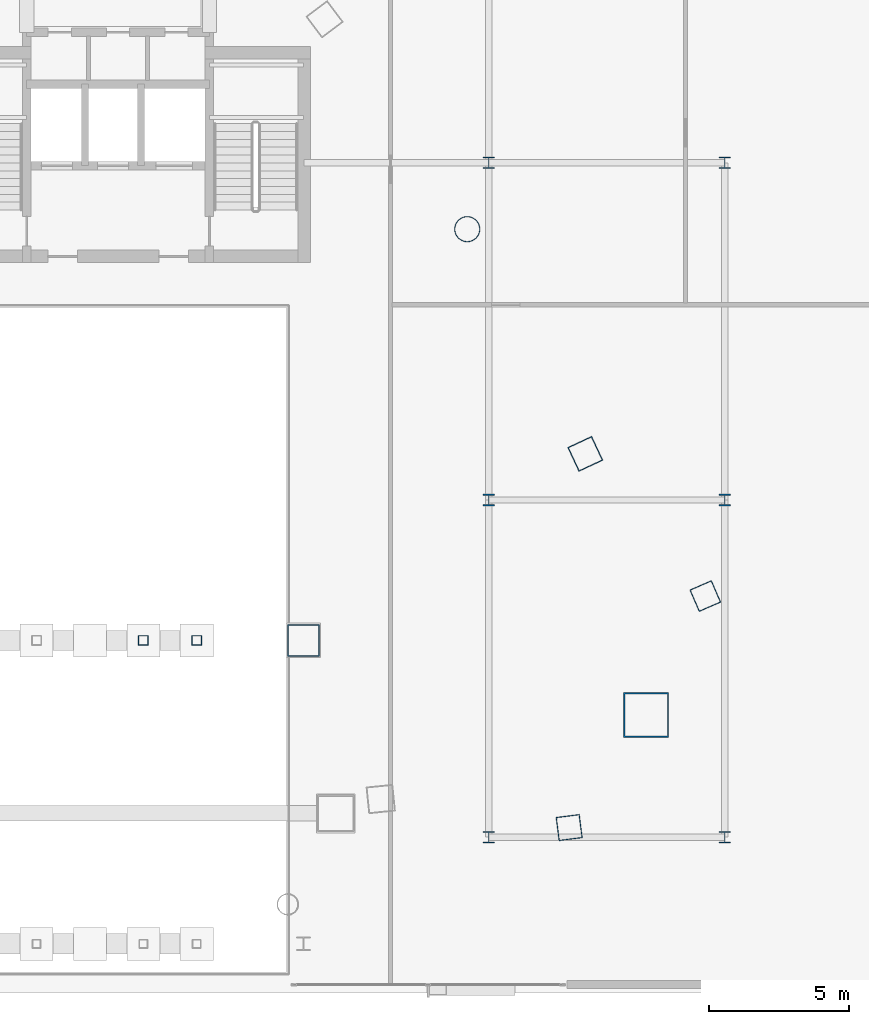
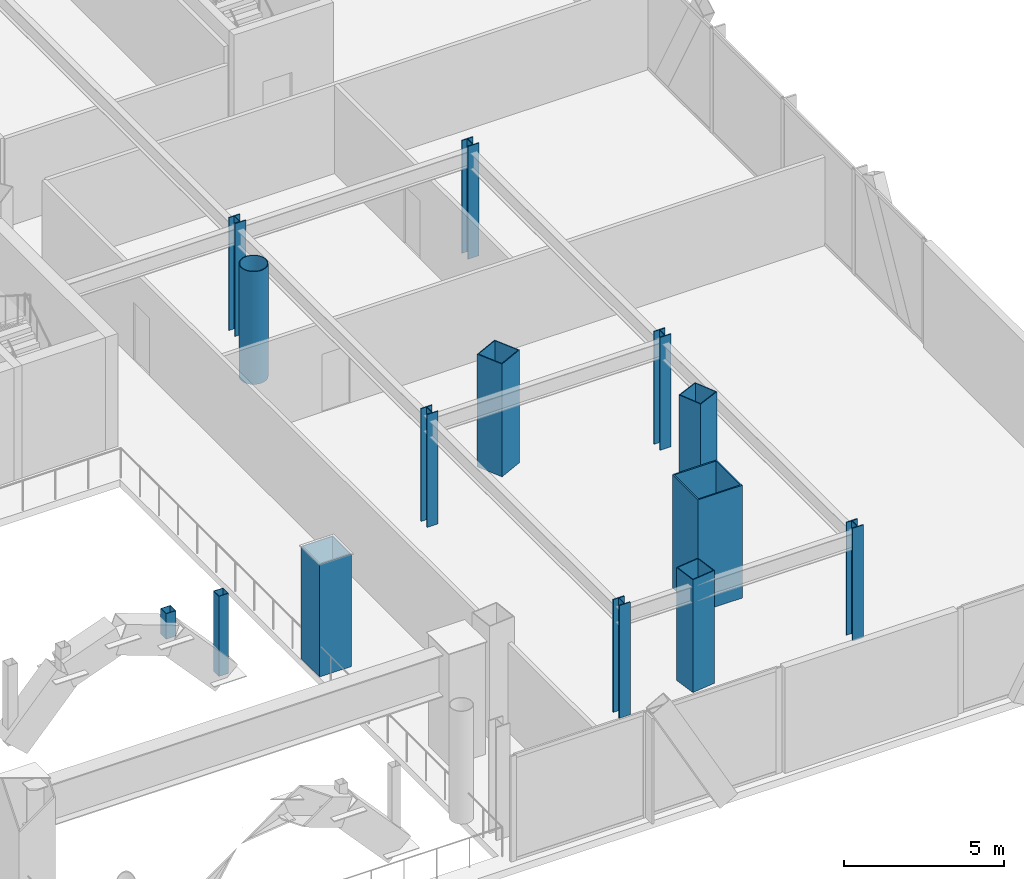
# One storey, part 2 of 42: 14 columns.
"""IFC4 building model written with IfcOpenShell, lengths in metres."""

from ifc_helpers import new_model, si_unit, direction, frame, origin, origin_2d, place, context, subcontext, project, spatial, hollow_rectangle, hollow_circle, i_section, extrude, material, material_profile, profile_set, type_object, element, save


model = new_model("IFC4")

# Units and contexts
model_context = context("Model", 3, precision=1e-05, world=origin(), true_north=direction((0.0, 1.0)))
body_context = subcontext(model_context, "Body", "Model", "MODEL_VIEW")
ifc_project = project(units=[si_unit("LENGTHUNIT", "METRE"), si_unit("AREAUNIT", "SQUARE_METRE"), si_unit("VOLUMEUNIT", "CUBIC_METRE"), si_unit("PLANEANGLEUNIT", "RADIAN"), si_unit("MASSUNIT", "GRAM", prefix="KILO")], contexts=[model_context])

# Site, building, storey
site_placement = place(None, origin())
site = spatial("IfcSite", under=ifc_project, at=site_placement, CompositionType="ELEMENT")
building_placement = place(site_placement, origin())
building = spatial("IfcBuilding", under=site, at=building_placement, Name="Orvanel Arch Residences", CompositionType="ELEMENT")
storey_placement = place(building_placement, frame((0.0, 0.0, 9.800048828125)))
storey = spatial("IfcBuildingStorey", under=building, at=storey_placement, Name="L02", CompositionType="ELEMENT", Elevation=9.800048828125)

# Columns
ifc_material_1 = material(Name="Structural steel AS/NZS 1163 C450L0 (Grade 450)", Category="steel")
ifc_material_profile_1 = material_profile(ifc_material_1, hollow_circle(Radius=0.45703125, WallThickness=0.02490234375, at=origin_2d()), Name="CHS914x25")
ifc_profile_set_1 = profile_set([ifc_material_profile_1], Name="Structural steel AS/NZS 1163 C450L0 (Grade 450)")
column_type_1 = type_object("IfcColumnType", Name="CC-914", PredefinedType="COLUMN", material=ifc_profile_set_1)
column_1_placement = place(storey_placement, frame((45.430908203125, 27.64111328125, 0.0), z_axis=(0.0, 0.0, 1.0), x_axis=(1.0, 0.0, 0.0)))
element("IfcColumn", 1, at=column_1_placement, inside=storey, type_object=column_type_1, Name="L02 High-Rise Tube Column 08", PredefinedType="COLUMN", context=body_context, shape_type="SweptSolid", body=[
    extrude(hollow_circle(Radius=0.45703125, WallThickness=0.02490234375, at=origin_2d()), origin(), (0.0, 0.0, 1.0), 4.300048828125),
])
ifc_material_2 = material(Name="Structural steel AS/NZS 3678 Grade 450", Category="steel")
ifc_material_profile_2 = material_profile(ifc_material_2, hollow_rectangle(XDim=1.14990234375, YDim=1.14990234375, WallThickness=0.035888671875, at=origin_2d()), Name="BOX1150x1150x36")
ifc_profile_set_2 = profile_set([ifc_material_profile_2], Name="Structural steel AS/NZS 3678 Grade 450")
column_type_2 = type_object("IfcColumnType", Name="MC-1150", PredefinedType="COLUMN", material=ifc_profile_set_2)
column_2_placement = place(storey_placement, frame((39.60009765625, 13.0, 0.0), z_axis=(0.0, 0.0, 1.0), x_axis=(1.0, 0.0, 0.0)))
element("IfcColumn", 2, at=column_2_placement, inside=storey, type_object=column_type_2, Name="L02 Arch Portal Pier MID E", PredefinedType="COLUMN", context=body_context, shape_type="SweptSolid", body=[
    extrude(hollow_rectangle(XDim=1.14990234375, YDim=1.14990234375, WallThickness=0.035888671875, at=origin_2d()), origin(), (0.0, 0.0, 1.0), 4.300048828125),
])
ifc_material_profile_3 = material_profile(ifc_material_2, hollow_rectangle(XDim=1.60009765625, YDim=1.60009765625, WallThickness=0.050048828125, at=origin_2d()), Name="BOX1600x1600x50")
ifc_profile_set_3 = profile_set([ifc_material_profile_3], Name="Structural steel AS/NZS 3678 Grade 450")
column_type_3 = type_object("IfcColumnType", Name="MC-1600", PredefinedType="COLUMN", material=ifc_profile_set_3)
column_3_placement = place(storey_placement, frame((51.801025390625, 10.35107421875, 0.0), z_axis=(0.0, 0.0, 1.0), x_axis=(1.0, 0.0, 0.0)))
element("IfcColumn", 3, at=column_3_placement, inside=storey, type_object=column_type_3, Name="L02 Corner Composite Mega-Column 3", PredefinedType="COLUMN", context=body_context, shape_type="SweptSolid", body=[
    extrude(hollow_rectangle(XDim=1.60009765625, YDim=1.60009765625, WallThickness=0.050048828125, at=origin_2d()), origin(), (0.0, 0.0, 1.0), 4.300048828125),
])
ifc_material_3 = material(Name="Structural steel AS/NZS 1163 C350L0 (Grade 350)", Category="steel")
ifc_material_profile_4 = material_profile(ifc_material_3, hollow_rectangle(XDim=0.35009765625, YDim=0.35009765625, WallThickness=0.01611328125, at=origin_2d()), Name="SHS350x350x16")
ifc_profile_set_4 = profile_set([ifc_material_profile_4], Name="Structural steel AS/NZS 1163 C350L0 (Grade 350)")
column_type_4 = type_object("IfcColumnType", Name="OC-350SHS", PredefinedType="COLUMN", material=ifc_profile_set_4)
column_4_placement = place(storey_placement, frame((33.89990234375, 13.0, 3.052978515625), z_axis=(0.0, 0.0, 1.0), x_axis=(1.0, 0.0, 0.0)))
element("IfcColumn", 4, at=column_4_placement, inside=storey, type_object=column_type_4, Name="L02 Open-Spandrel Arch Post MID 5", PredefinedType="COLUMN", context=body_context, shape_type="SweptSolid", body=[
    extrude(hollow_rectangle(XDim=0.35009765625, YDim=0.35009765625, WallThickness=0.01611328125, at=origin_2d()), origin(), (0.0, 0.0, 1.0), 0.967041015625),
])
column_5_placement = place(storey_placement, frame((35.800048828125, 13.0, 0.962890625), z_axis=(0.0, 0.0, 1.0), x_axis=(1.0, 0.0, 0.0)))
element("IfcColumn", 5, at=column_5_placement, inside=storey, type_object=column_type_4, Name="L02 Open-Spandrel Arch Post MID 6", PredefinedType="COLUMN", context=body_context, shape_type="SweptSolid", body=[
    extrude(hollow_rectangle(XDim=0.35009765625, YDim=0.35009765625, WallThickness=0.01611328125, at=origin_2d()), origin(), (0.0, 0.0, 1.0), 3.05712890625),
])
ifc_material_4 = material(Name="Structural steel AS/NZS 3679.1 Grade 300 (300 MPa)", Category="steel")
ifc_material_profile_5 = material_profile(ifc_material_4, i_section(OverallWidth=0.39990234375, OverallDepth=0.409912109375, WebThickness=0.02490234375, FlangeThickness=0.035888671875, at=origin_2d()), Name="400WC328")
ifc_profile_set_5 = profile_set([ifc_material_profile_5], Name="Structural steel AS/NZS 3679.1 Grade 300 (300 MPa)")
column_type_5 = type_object("IfcColumnType", Name="SC-400WC", PredefinedType="COLUMN", material=ifc_profile_set_5)
for number, where, z_axis, x_axis, name in (
    (6, (46.199951171875, 6.0, 0.0), (0.0, 0.0, 1.0), (1.0, 0.0, 0.0), "L02 Podium Grid Column 08"),
    (7, (46.199951171875, 18.0, 0.0), (0.0, 0.0, 1.0), (1.0, 0.0, 0.0), "L02 Podium Grid Column 09"),
    (8, (46.199951171875, 30.0, 0.0), (0.0, 0.0, 1.0), (1.0, 0.0, 0.0), "L02 Podium Grid Column 10"),
    (9, (54.60009765625, 6.0, 0.0), (0.0, 0.0, 1.0), (1.0, 0.0, 0.0), "L02 Podium Grid Column 12"),
    (10, (54.60009765625, 18.0, 0.0), (0.0, 0.0, 1.0), (1.0, 0.0, 0.0), "L02 Podium Grid Column 13"),
    (11, (54.60009765625, 30.0, 0.0), (0.0, 0.0, 1.0), (1.0, 0.0, 0.0), "L02 Podium Grid Column 14"),
):
    element("IfcColumn", number, at=place(storey_placement, frame(where, z_axis=z_axis, x_axis=x_axis)), inside=storey, type_object=column_type_5, Name=name, PredefinedType="COLUMN", context=body_context, shape_type="SweptSolid", body=[
        extrude(i_section(OverallWidth=0.39990234375, OverallDepth=0.409912109375, WebThickness=0.02490234375, FlangeThickness=0.035888671875, at=origin_2d()), origin(), (0.0, 0.0, 1.0), 4.300048828125),
    ])
ifc_material_5 = material(Name="Structural steel AS/NZS 3678 Grade 350", Category="steel")
ifc_material_profile_6 = material_profile(ifc_material_5, hollow_rectangle(XDim=0.85009765625, YDim=0.85009765625, WallThickness=0.028076171875, at=origin_2d()), Name="BOX850x850x28")
ifc_profile_set_6 = profile_set([ifc_material_profile_6], Name="Structural steel AS/NZS 3678 Grade 350")
column_type_6 = type_object("IfcColumnType", Name="TC-850", PredefinedType="COLUMN", material=ifc_profile_set_6)
for number, where, z_axis, x_axis, name in (
    (12, (49.05908203125, 6.339111328125, 0.0), (0.0, 0.0, 1.0), (0.99189444259, 0.127064608601, 0.0), "L02 Mid-Rise Buttress Tube Column 04"),
    (13, (53.905029296875, 14.580078125, 0.0), (0.0, 0.0, 1.0), (-0.397147890635, 0.917754625684, 0.0), "L02 Mid-Rise Buttress Tube Column 05"),
):
    element("IfcColumn", number, at=place(storey_placement, frame(where, z_axis=z_axis, x_axis=x_axis)), inside=storey, type_object=column_type_6, Name=name, PredefinedType="COLUMN", context=body_context, shape_type="SweptSolid", body=[
        extrude(hollow_rectangle(XDim=0.85009765625, YDim=0.85009765625, WallThickness=0.028076171875, at=origin_2d()), origin(), (0.0, 0.0, 1.0), 4.300048828125),
    ])
ifc_material_profile_7 = material_profile(ifc_material_5, hollow_rectangle(XDim=0.949951171875, YDim=0.949951171875, WallThickness=0.031982421875, at=origin_2d()), Name="BOX950x950x32")
ifc_profile_set_7 = profile_set([ifc_material_profile_7], Name="Structural steel AS/NZS 3678 Grade 350")
column_type_7 = type_object("IfcColumnType", Name="TC-950", PredefinedType="COLUMN", material=ifc_profile_set_7)
column_6_placement = place(storey_placement, frame((49.633056640625, 19.64208984375, 0.0), z_axis=(0.0, 0.0, 1.0), x_axis=(-0.422618261741, 0.906307787037, 0.0)))
element("IfcColumn", 14, at=column_6_placement, inside=storey, type_object=column_type_7, Name="L02 High-Rise Tube Column 07", PredefinedType="COLUMN", context=body_context, shape_type="SweptSolid", body=[
    extrude(hollow_rectangle(XDim=0.949951171875, YDim=0.949951171875, WallThickness=0.031982421875, at=origin_2d()), origin(), (0.0, 0.0, 1.0), 4.300048828125),
])

save(model, "model.ifc")
